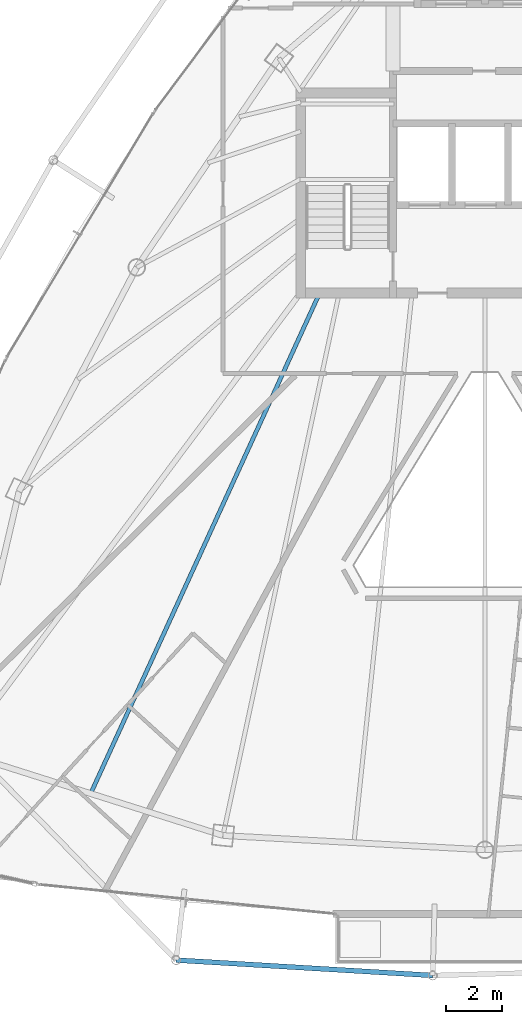
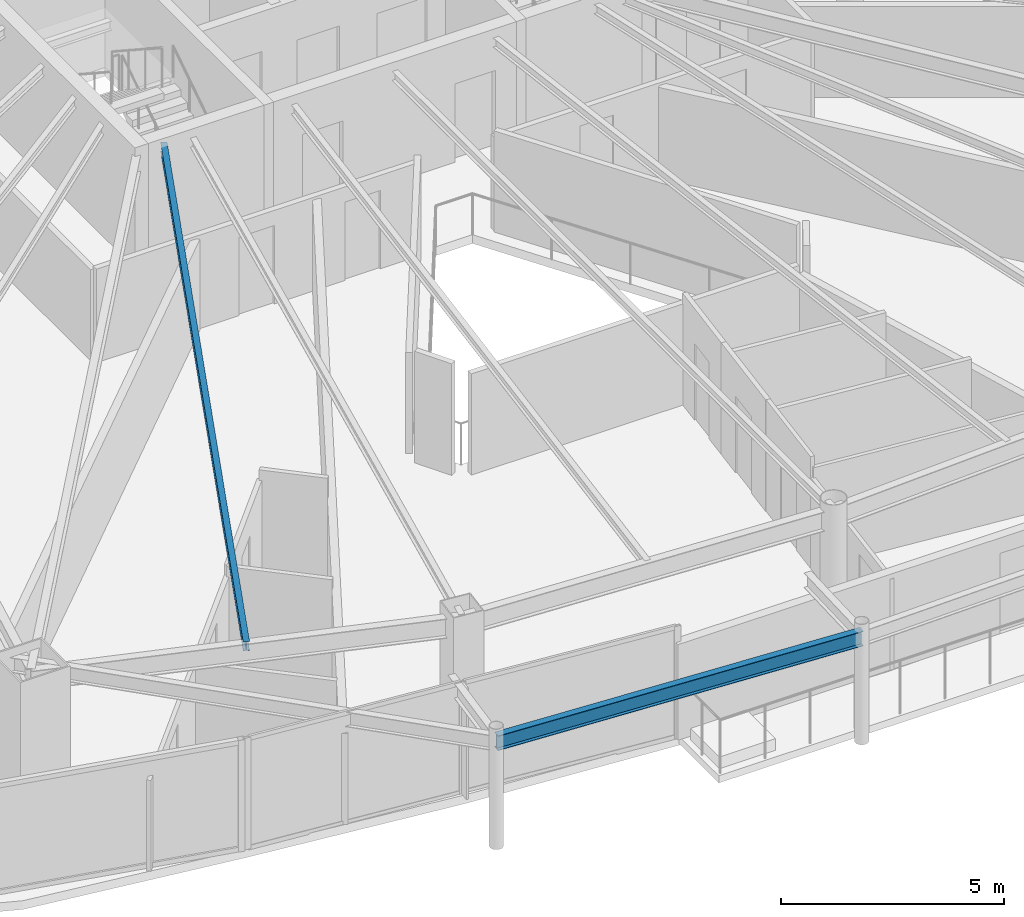
# One storey, part 7 of 34: 2 beams.
"""IFC4 building model written with IfcOpenShell, lengths in metres."""

from ifc_helpers import new_model, si_unit, direction, frame, origin, origin_2d, place, context, subcontext, project, spatial, i_section, extrude, material, material_profile, profile_set, type_object, element, save


model = new_model("IFC4")

# Units and contexts
model_context = context("Model", 3, precision=1e-05, world=origin(), true_north=direction((0.0, 1.0)))
body_context = subcontext(model_context, "Body", "Model", "MODEL_VIEW")
ifc_project = project(units=[si_unit("LENGTHUNIT", "METRE"), si_unit("AREAUNIT", "SQUARE_METRE"), si_unit("VOLUMEUNIT", "CUBIC_METRE"), si_unit("PLANEANGLEUNIT", "RADIAN"), si_unit("MASSUNIT", "GRAM", prefix="KILO")], contexts=[model_context])

# Site, building, storey
site_placement = place(None, origin())
site = spatial("IfcSite", under=ifc_project, at=site_placement, CompositionType="ELEMENT")
building_placement = place(site_placement, origin())
building = spatial("IfcBuilding", under=site, at=building_placement, Name="Orvanel Arch Residences", CompositionType="ELEMENT")
storey_placement = place(building_placement, frame((0.0, 0.0, 199.699951171875)))
storey = spatial("IfcBuildingStorey", under=building, at=storey_placement, Name="L56", CompositionType="ELEMENT", Elevation=199.699951171875)

# Beams
ifc_material = material(Name="Structural steel AS/NZS 3679.1 Grade 300 (300 MPa)", Category="steel")
ifc_material_profile_1 = material_profile(ifc_material, i_section(OverallWidth=0.14599609375, OverallDepth=0.251953125, WebThickness=0.006103515625, FlangeThickness=0.008544921875, at=origin_2d()), Name="250UB31.4")
ifc_profile_set_1 = profile_set([ifc_material_profile_1], Name="Structural steel AS/NZS 3679.1 Grade 300 (300 MPa)")
beam_type_1 = type_object("IfcBeamType", Name="BJ-250UB", PredefinedType="JOIST", material=ifc_profile_set_1)
beam_1_placement = place(storey_placement, frame((27.10009765625, 26.72509765625, 2.93408203125), z_axis=(-0.416009574066, -0.909360233508, 0.0), x_axis=(0.909360233508, -0.416009574066, 0.0)))
element("IfcBeam", 1, at=beam_1_placement, inside=storey, type_object=beam_type_1, Name="L56 JADD1 Wing Floor Joist", PredefinedType="JOIST", context=body_context, shape_type="SweptSolid", body=[
    extrude(i_section(OverallWidth=0.14599609375, OverallDepth=0.251953125, WebThickness=0.006103515625, FlangeThickness=0.008544921875, at=origin_2d()), origin(), (0.0, 0.0, 1.0), 19.653564453125),
])
ifc_material_profile_2 = material_profile(ifc_material, i_section(OverallWidth=0.177978515625, OverallDepth=0.406005859375, WebThickness=0.0078125, FlangeThickness=0.0126953125, at=origin_2d()), Name="410UB59.7")
ifc_profile_set_2 = profile_set([ifc_material_profile_2], Name="Structural steel AS/NZS 3679.1 Grade 300 (300 MPa)")
beam_type_2 = type_object("IfcBeamType", Name="OB-410UB-EXT", PredefinedType="SPANDREL", material=ifc_profile_set_2)
beam_2_placement = place(storey_placement, frame((21.97509765625, 2.906005859375, 2.85693359375), z_axis=(0.998215357636, -0.05971682996, 0.0), x_axis=(0.05971682996, 0.998215357636, 0.0)))
element("IfcBeam", 2, at=beam_2_placement, inside=storey, type_object=beam_type_2, Name="L56 Outer Perimeter Floor Ring Beam 05", PredefinedType="SPANDREL", context=body_context, shape_type="SweptSolid", body=[
    extrude(i_section(OverallWidth=0.177978515625, OverallDepth=0.406005859375, WebThickness=0.0078125, FlangeThickness=0.0126953125, at=origin_2d()), origin(), (0.0, 0.0, 1.0), 9.17822265625),
])

save(model, "model.ifc")
